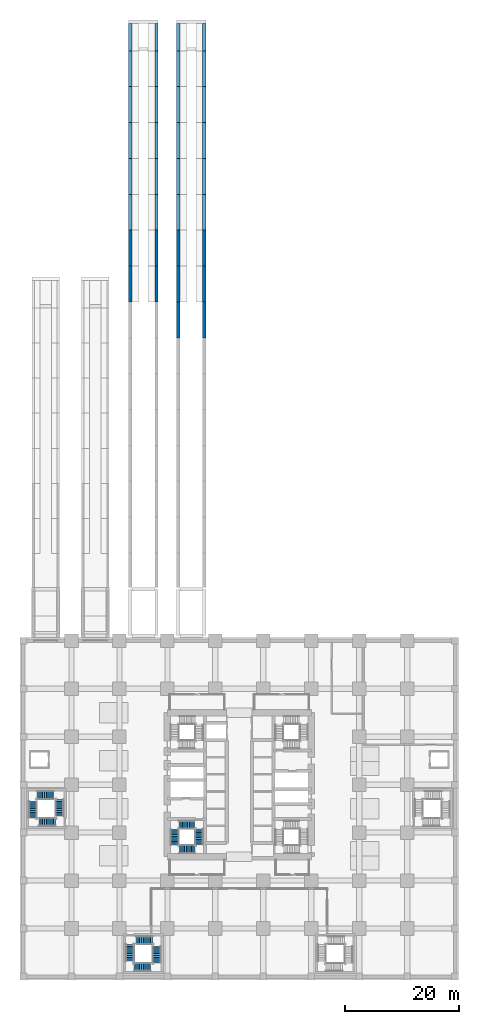
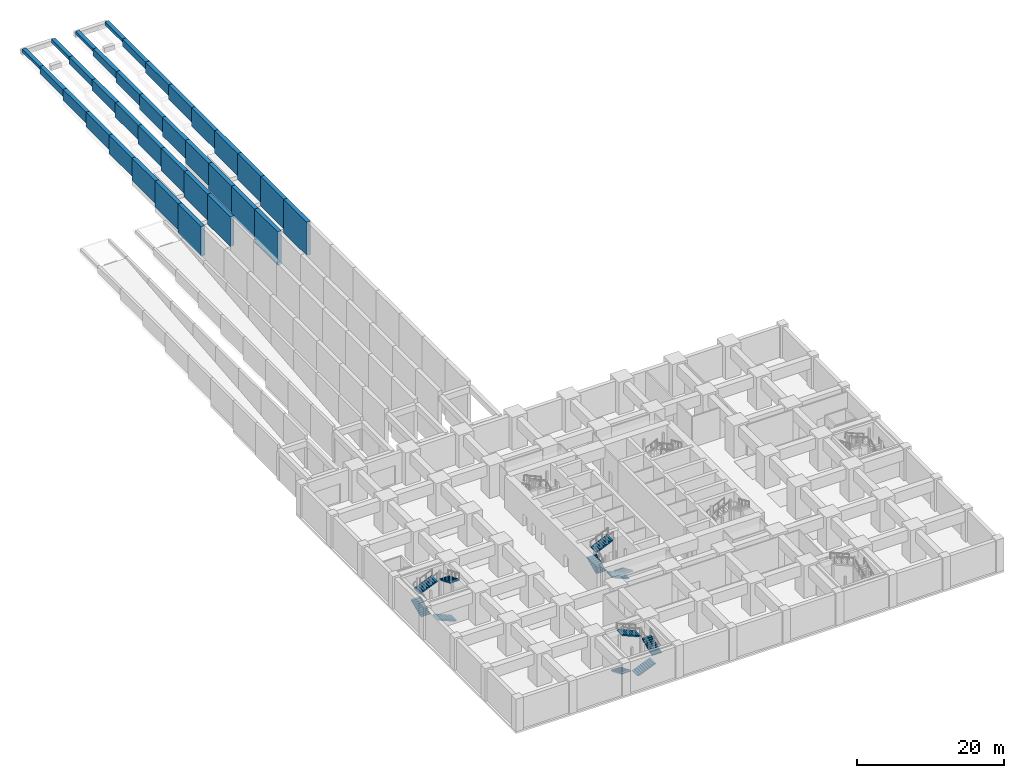
# One storey, part 11 of 20: 34 walls, 12 stair flights, 3 elements without a shape of their own.
"""IFC4 building model written with IfcOpenShell, lengths in metres."""

from ifc_helpers import new_model, si_unit, direction, frame, frame_2d, origin, place, context, subcontext, project, spatial, polyline, rectangle, outline, extrude, material, layer, layer_set, type_object, element, aggregate, save


model = new_model("IFC4")

# Units and contexts
model_context = context("Model", 3, precision=1e-05, world=origin(), true_north=direction((0.0, 1.0)))
body_context = subcontext(model_context, "Body", "Model", "MODEL_VIEW")
ifc_project = project(units=[si_unit("LENGTHUNIT", "METRE"), si_unit("AREAUNIT", "SQUARE_METRE"), si_unit("VOLUMEUNIT", "CUBIC_METRE"), si_unit("PLANEANGLEUNIT", "RADIAN"), si_unit("MASSUNIT", "GRAM", prefix="KILO")], contexts=[model_context])

# Site, building, storey
site_placement = place(None, origin())
site = spatial("IfcSite", under=ifc_project, at=site_placement, CompositionType="ELEMENT")
building_placement = place(site_placement, origin())
building = spatial("IfcBuilding", under=site, at=building_placement, Name="Rekha Terrace Tower", CompositionType="ELEMENT")
storey_placement = place(building_placement, frame((0.0, 0.0, -5.39990234375)))
storey = spatial("IfcBuildingStorey", under=building, at=storey_placement, Name="B-01", CompositionType="ELEMENT", Elevation=-5.39990234375)

# Walls
ifc_material = material(Name="Concrete M40", Category="concrete")
ifc_layer = layer(ifc_material, 0.60009765625)
ifc_layer_set = layer_set([ifc_layer], Name="Concrete M40")
wall_type = type_object("IfcWallType", Name="RW4 600 ramp retaining wall", PredefinedType="SOLIDWALL", material=ifc_layer_set)
wall_1_placement = place(storey_placement, frame((18.699951171875, 118.139892578125, 0.4638671875), z_axis=(0.0, 0.0, 1.0), x_axis=(0.0, 1.0, 0.0)))
element("IfcWall", 1, at=wall_1_placement, inside=storey, type_object=wall_type, Name="Ramp 3 kerb wall RW4 W11", PredefinedType="SOLIDWALL", context=body_context, shape_type="SweptSolid", body=[
    extrude(rectangle(XDim=6.280029296875, YDim=0.60009765625, at=frame_2d((3.14013671875, 0.0))), origin(), (0.0, 0.0, 1.0), 4.93603515625),
])
wall_2_placement = place(storey_placement, frame((18.699951171875, 124.419921875, 1.091796875), z_axis=(0.0, 0.0, 1.0), x_axis=(0.0, 1.0, 0.0)))
element("IfcWall", 2, at=wall_2_placement, inside=storey, type_object=wall_type, Name="Ramp 3 kerb wall RW4 W12", PredefinedType="SOLIDWALL", context=body_context, shape_type="SweptSolid", body=[
    extrude(rectangle(XDim=6.280029296875, YDim=0.60009765625, at=frame_2d((3.14013671875, 0.0))), origin(), (0.0, 0.0, 1.0), 4.30810546875),
])
wall_3_placement = place(storey_placement, frame((18.699951171875, 130.699951171875, 1.719970703125), z_axis=(0.0, 0.0, 1.0), x_axis=(0.0, 1.0, 0.0)))
element("IfcWall", 3, at=wall_3_placement, inside=storey, type_object=wall_type, Name="Ramp 3 kerb wall RW4 W13", PredefinedType="SOLIDWALL", context=body_context, shape_type="SweptSolid", body=[
    extrude(rectangle(XDim=6.280029296875, YDim=0.60009765625, at=frame_2d((3.14013671875, 0.0))), origin(), (0.0, 0.0, 1.0), 3.679931640625),
])
wall_4_placement = place(storey_placement, frame((18.699951171875, 136.97998046875, 2.347900390625), z_axis=(0.0, 0.0, 1.0), x_axis=(0.0, 1.0, 0.0)))
element("IfcWall", 4, at=wall_4_placement, inside=storey, type_object=wall_type, Name="Ramp 3 kerb wall RW4 W14", PredefinedType="SOLIDWALL", context=body_context, shape_type="SweptSolid", body=[
    extrude(rectangle(XDim=6.280029296875, YDim=0.60009765625, at=frame_2d((3.14013671875, 0.0))), origin(), (0.0, 0.0, 1.0), 3.052001953125),
])
wall_5_placement = place(storey_placement, frame((18.699951171875, 143.260009765625, 2.975830078125), z_axis=(0.0, 0.0, 1.0), x_axis=(0.0, 1.0, 0.0)))
element("IfcWall", 5, at=wall_5_placement, inside=storey, type_object=wall_type, Name="Ramp 3 kerb wall RW4 W15", PredefinedType="SOLIDWALL", context=body_context, shape_type="SweptSolid", body=[
    extrude(rectangle(XDim=6.280029296875, YDim=0.60009765625, at=frame_2d((3.14013671875, 0.0))), origin(), (0.0, 0.0, 1.0), 2.424072265625),
])
wall_6_placement = place(storey_placement, frame((18.699951171875, 149.5400390625, 3.60400390625), z_axis=(0.0, 0.0, 1.0), x_axis=(0.0, 1.0, 0.0)))
element("IfcWall", 6, at=wall_6_placement, inside=storey, type_object=wall_type, Name="Ramp 3 kerb wall RW4 W16", PredefinedType="SOLIDWALL", context=body_context, shape_type="SweptSolid", body=[
    extrude(rectangle(XDim=6.280029296875, YDim=0.60009765625, at=frame_2d((3.14013671875, 0.0))), origin(), (0.0, 0.0, 1.0), 1.7958984375),
])
wall_7_placement = place(storey_placement, frame((18.699951171875, 155.820068359375, 4.23193359375), z_axis=(0.0, 0.0, 1.0), x_axis=(0.0, 1.0, 0.0)))
element("IfcWall", 7, at=wall_7_placement, inside=storey, type_object=wall_type, Name="Ramp 3 kerb wall RW4 W17", PredefinedType="SOLIDWALL", context=body_context, shape_type="SweptSolid", body=[
    extrude(rectangle(XDim=6.280029296875, YDim=0.60009765625, at=frame_2d((3.14013671875, 0.0))), origin(), (0.0, 0.0, 1.0), 1.16796875),
])
wall_8_placement = place(storey_placement, frame((18.699951171875, 162.10009765625, 4.85986328125), z_axis=(0.0, 0.0, 1.0), x_axis=(0.0, 1.0, 0.0)))
element("IfcWall", 8, at=wall_8_placement, inside=storey, type_object=wall_type, Name="Ramp 3 kerb wall RW4 W18", PredefinedType="SOLIDWALL", context=body_context, shape_type="SweptSolid", body=[
    extrude(rectangle(XDim=4.7998046875, YDim=0.60009765625, at=frame_2d((2.39990234375, 0.0))), origin(), (0.0, 0.0, 1.0), 0.5400390625),
])
wall_9_placement = place(storey_placement, frame((23.300048828125, 118.139892578125, 0.4638671875), z_axis=(0.0, 0.0, 1.0), x_axis=(0.0, 1.0, 0.0)))
element("IfcWall", 9, at=wall_9_placement, inside=storey, type_object=wall_type, Name="Ramp 3 kerb wall RW4 E11", PredefinedType="SOLIDWALL", context=body_context, shape_type="SweptSolid", body=[
    extrude(rectangle(XDim=6.280029296875, YDim=0.60009765625, at=frame_2d((3.14013671875, 0.0))), origin(), (0.0, 0.0, 1.0), 4.93603515625),
])
wall_10_placement = place(storey_placement, frame((23.300048828125, 124.419921875, 1.091796875), z_axis=(0.0, 0.0, 1.0), x_axis=(0.0, 1.0, 0.0)))
element("IfcWall", 10, at=wall_10_placement, inside=storey, type_object=wall_type, Name="Ramp 3 kerb wall RW4 E12", PredefinedType="SOLIDWALL", context=body_context, shape_type="SweptSolid", body=[
    extrude(rectangle(XDim=6.280029296875, YDim=0.60009765625, at=frame_2d((3.14013671875, 0.0))), origin(), (0.0, 0.0, 1.0), 4.30810546875),
])
wall_11_placement = place(storey_placement, frame((23.300048828125, 130.699951171875, 1.719970703125), z_axis=(0.0, 0.0, 1.0), x_axis=(0.0, 1.0, 0.0)))
element("IfcWall", 11, at=wall_11_placement, inside=storey, type_object=wall_type, Name="Ramp 3 kerb wall RW4 E13", PredefinedType="SOLIDWALL", context=body_context, shape_type="SweptSolid", body=[
    extrude(rectangle(XDim=6.280029296875, YDim=0.60009765625, at=frame_2d((3.14013671875, 0.0))), origin(), (0.0, 0.0, 1.0), 3.679931640625),
])
wall_12_placement = place(storey_placement, frame((23.300048828125, 136.97998046875, 2.347900390625), z_axis=(0.0, 0.0, 1.0), x_axis=(0.0, 1.0, 0.0)))
element("IfcWall", 12, at=wall_12_placement, inside=storey, type_object=wall_type, Name="Ramp 3 kerb wall RW4 E14", PredefinedType="SOLIDWALL", context=body_context, shape_type="SweptSolid", body=[
    extrude(rectangle(XDim=6.280029296875, YDim=0.60009765625, at=frame_2d((3.14013671875, 0.0))), origin(), (0.0, 0.0, 1.0), 3.052001953125),
])
wall_13_placement = place(storey_placement, frame((23.300048828125, 143.260009765625, 2.975830078125), z_axis=(0.0, 0.0, 1.0), x_axis=(0.0, 1.0, 0.0)))
element("IfcWall", 13, at=wall_13_placement, inside=storey, type_object=wall_type, Name="Ramp 3 kerb wall RW4 E15", PredefinedType="SOLIDWALL", context=body_context, shape_type="SweptSolid", body=[
    extrude(rectangle(XDim=6.280029296875, YDim=0.60009765625, at=frame_2d((3.14013671875, 0.0))), origin(), (0.0, 0.0, 1.0), 2.424072265625),
])
wall_14_placement = place(storey_placement, frame((23.300048828125, 149.5400390625, 3.60400390625), z_axis=(0.0, 0.0, 1.0), x_axis=(0.0, 1.0, 0.0)))
element("IfcWall", 14, at=wall_14_placement, inside=storey, type_object=wall_type, Name="Ramp 3 kerb wall RW4 E16", PredefinedType="SOLIDWALL", context=body_context, shape_type="SweptSolid", body=[
    extrude(rectangle(XDim=6.280029296875, YDim=0.60009765625, at=frame_2d((3.14013671875, 0.0))), origin(), (0.0, 0.0, 1.0), 1.7958984375),
])
wall_15_placement = place(storey_placement, frame((23.300048828125, 155.820068359375, 4.23193359375), z_axis=(0.0, 0.0, 1.0), x_axis=(0.0, 1.0, 0.0)))
element("IfcWall", 15, at=wall_15_placement, inside=storey, type_object=wall_type, Name="Ramp 3 kerb wall RW4 E17", PredefinedType="SOLIDWALL", context=body_context, shape_type="SweptSolid", body=[
    extrude(rectangle(XDim=6.280029296875, YDim=0.60009765625, at=frame_2d((3.14013671875, 0.0))), origin(), (0.0, 0.0, 1.0), 1.16796875),
])
wall_16_placement = place(storey_placement, frame((23.300048828125, 162.10009765625, 4.85986328125), z_axis=(0.0, 0.0, 1.0), x_axis=(0.0, 1.0, 0.0)))
element("IfcWall", 16, at=wall_16_placement, inside=storey, type_object=wall_type, Name="Ramp 3 kerb wall RW4 E18", PredefinedType="SOLIDWALL", context=body_context, shape_type="SweptSolid", body=[
    extrude(rectangle(XDim=4.7998046875, YDim=0.60009765625, at=frame_2d((2.39990234375, 0.0))), origin(), (0.0, 0.0, 1.0), 0.5400390625),
])
wall_17_placement = place(storey_placement, frame((27.10009765625, 111.860107421875, -0.1640625), z_axis=(0.0, 0.0, 1.0), x_axis=(0.0, 1.0, 0.0)))
element("IfcWall", 17, at=wall_17_placement, inside=storey, type_object=wall_type, Name="Ramp 4 kerb wall RW4 W10", PredefinedType="SOLIDWALL", context=body_context, shape_type="SweptSolid", body=[
    extrude(rectangle(XDim=6.27978515625, YDim=0.60009765625, at=frame_2d((3.139892578125, 0.0))), origin(), (0.0, 0.0, 1.0), 5.56396484375),
])
wall_18_placement = place(storey_placement, frame((27.10009765625, 118.139892578125, 0.4638671875), z_axis=(0.0, 0.0, 1.0), x_axis=(0.0, 1.0, 0.0)))
element("IfcWall", 18, at=wall_18_placement, inside=storey, type_object=wall_type, Name="Ramp 4 kerb wall RW4 W11", PredefinedType="SOLIDWALL", context=body_context, shape_type="SweptSolid", body=[
    extrude(rectangle(XDim=6.280029296875, YDim=0.60009765625, at=frame_2d((3.14013671875, 0.0))), origin(), (0.0, 0.0, 1.0), 4.93603515625),
])
wall_19_placement = place(storey_placement, frame((27.10009765625, 124.419921875, 1.091796875), z_axis=(0.0, 0.0, 1.0), x_axis=(0.0, 1.0, 0.0)))
element("IfcWall", 19, at=wall_19_placement, inside=storey, type_object=wall_type, Name="Ramp 4 kerb wall RW4 W12", PredefinedType="SOLIDWALL", context=body_context, shape_type="SweptSolid", body=[
    extrude(rectangle(XDim=6.280029296875, YDim=0.60009765625, at=frame_2d((3.14013671875, 0.0))), origin(), (0.0, 0.0, 1.0), 4.30810546875),
])
wall_20_placement = place(storey_placement, frame((27.10009765625, 130.699951171875, 1.719970703125), z_axis=(0.0, 0.0, 1.0), x_axis=(0.0, 1.0, 0.0)))
element("IfcWall", 20, at=wall_20_placement, inside=storey, type_object=wall_type, Name="Ramp 4 kerb wall RW4 W13", PredefinedType="SOLIDWALL", context=body_context, shape_type="SweptSolid", body=[
    extrude(rectangle(XDim=6.280029296875, YDim=0.60009765625, at=frame_2d((3.14013671875, 0.0))), origin(), (0.0, 0.0, 1.0), 3.679931640625),
])
wall_21_placement = place(storey_placement, frame((27.10009765625, 136.97998046875, 2.347900390625), z_axis=(0.0, 0.0, 1.0), x_axis=(0.0, 1.0, 0.0)))
element("IfcWall", 21, at=wall_21_placement, inside=storey, type_object=wall_type, Name="Ramp 4 kerb wall RW4 W14", PredefinedType="SOLIDWALL", context=body_context, shape_type="SweptSolid", body=[
    extrude(rectangle(XDim=6.280029296875, YDim=0.60009765625, at=frame_2d((3.14013671875, 0.0))), origin(), (0.0, 0.0, 1.0), 3.052001953125),
])
wall_22_placement = place(storey_placement, frame((27.10009765625, 143.260009765625, 2.975830078125), z_axis=(0.0, 0.0, 1.0), x_axis=(0.0, 1.0, 0.0)))
element("IfcWall", 22, at=wall_22_placement, inside=storey, type_object=wall_type, Name="Ramp 4 kerb wall RW4 W15", PredefinedType="SOLIDWALL", context=body_context, shape_type="SweptSolid", body=[
    extrude(rectangle(XDim=6.280029296875, YDim=0.60009765625, at=frame_2d((3.14013671875, 0.0))), origin(), (0.0, 0.0, 1.0), 2.424072265625),
])
wall_23_placement = place(storey_placement, frame((27.10009765625, 149.5400390625, 3.60400390625), z_axis=(0.0, 0.0, 1.0), x_axis=(0.0, 1.0, 0.0)))
element("IfcWall", 23, at=wall_23_placement, inside=storey, type_object=wall_type, Name="Ramp 4 kerb wall RW4 W16", PredefinedType="SOLIDWALL", context=body_context, shape_type="SweptSolid", body=[
    extrude(rectangle(XDim=6.280029296875, YDim=0.60009765625, at=frame_2d((3.14013671875, 0.0))), origin(), (0.0, 0.0, 1.0), 1.7958984375),
])
wall_24_placement = place(storey_placement, frame((27.10009765625, 155.820068359375, 4.23193359375), z_axis=(0.0, 0.0, 1.0), x_axis=(0.0, 1.0, 0.0)))
element("IfcWall", 24, at=wall_24_placement, inside=storey, type_object=wall_type, Name="Ramp 4 kerb wall RW4 W17", PredefinedType="SOLIDWALL", context=body_context, shape_type="SweptSolid", body=[
    extrude(rectangle(XDim=6.280029296875, YDim=0.60009765625, at=frame_2d((3.14013671875, 0.0))), origin(), (0.0, 0.0, 1.0), 1.16796875),
])
wall_25_placement = place(storey_placement, frame((27.10009765625, 162.10009765625, 4.85986328125), z_axis=(0.0, 0.0, 1.0), x_axis=(0.0, 1.0, 0.0)))
element("IfcWall", 25, at=wall_25_placement, inside=storey, type_object=wall_type, Name="Ramp 4 kerb wall RW4 W18", PredefinedType="SOLIDWALL", context=body_context, shape_type="SweptSolid", body=[
    extrude(rectangle(XDim=4.7998046875, YDim=0.60009765625, at=frame_2d((2.39990234375, 0.0))), origin(), (0.0, 0.0, 1.0), 0.5400390625),
])
wall_26_placement = place(storey_placement, frame((31.699951171875, 111.860107421875, -0.1640625), z_axis=(0.0, 0.0, 1.0), x_axis=(0.0, 1.0, 0.0)))
element("IfcWall", 26, at=wall_26_placement, inside=storey, type_object=wall_type, Name="Ramp 4 kerb wall RW4 E10", PredefinedType="SOLIDWALL", context=body_context, shape_type="SweptSolid", body=[
    extrude(rectangle(XDim=6.27978515625, YDim=0.60009765625, at=frame_2d((3.139892578125, 0.0))), origin(), (0.0, 0.0, 1.0), 5.56396484375),
])
wall_27_placement = place(storey_placement, frame((31.699951171875, 118.139892578125, 0.4638671875), z_axis=(0.0, 0.0, 1.0), x_axis=(0.0, 1.0, 0.0)))
element("IfcWall", 27, at=wall_27_placement, inside=storey, type_object=wall_type, Name="Ramp 4 kerb wall RW4 E11", PredefinedType="SOLIDWALL", context=body_context, shape_type="SweptSolid", body=[
    extrude(rectangle(XDim=6.280029296875, YDim=0.60009765625, at=frame_2d((3.14013671875, 0.0))), origin(), (0.0, 0.0, 1.0), 4.93603515625),
])
wall_28_placement = place(storey_placement, frame((31.699951171875, 124.419921875, 1.091796875), z_axis=(0.0, 0.0, 1.0), x_axis=(0.0, 1.0, 0.0)))
element("IfcWall", 28, at=wall_28_placement, inside=storey, type_object=wall_type, Name="Ramp 4 kerb wall RW4 E12", PredefinedType="SOLIDWALL", context=body_context, shape_type="SweptSolid", body=[
    extrude(rectangle(XDim=6.280029296875, YDim=0.60009765625, at=frame_2d((3.14013671875, 0.0))), origin(), (0.0, 0.0, 1.0), 4.30810546875),
])
wall_29_placement = place(storey_placement, frame((31.699951171875, 130.699951171875, 1.719970703125), z_axis=(0.0, 0.0, 1.0), x_axis=(0.0, 1.0, 0.0)))
element("IfcWall", 29, at=wall_29_placement, inside=storey, type_object=wall_type, Name="Ramp 4 kerb wall RW4 E13", PredefinedType="SOLIDWALL", context=body_context, shape_type="SweptSolid", body=[
    extrude(rectangle(XDim=6.280029296875, YDim=0.60009765625, at=frame_2d((3.14013671875, 0.0))), origin(), (0.0, 0.0, 1.0), 3.679931640625),
])
wall_30_placement = place(storey_placement, frame((31.699951171875, 136.97998046875, 2.347900390625), z_axis=(0.0, 0.0, 1.0), x_axis=(0.0, 1.0, 0.0)))
element("IfcWall", 30, at=wall_30_placement, inside=storey, type_object=wall_type, Name="Ramp 4 kerb wall RW4 E14", PredefinedType="SOLIDWALL", context=body_context, shape_type="SweptSolid", body=[
    extrude(rectangle(XDim=6.280029296875, YDim=0.60009765625, at=frame_2d((3.14013671875, 0.0))), origin(), (0.0, 0.0, 1.0), 3.052001953125),
])
wall_31_placement = place(storey_placement, frame((31.699951171875, 143.260009765625, 2.975830078125), z_axis=(0.0, 0.0, 1.0), x_axis=(0.0, 1.0, 0.0)))
element("IfcWall", 31, at=wall_31_placement, inside=storey, type_object=wall_type, Name="Ramp 4 kerb wall RW4 E15", PredefinedType="SOLIDWALL", context=body_context, shape_type="SweptSolid", body=[
    extrude(rectangle(XDim=6.280029296875, YDim=0.60009765625, at=frame_2d((3.14013671875, 0.0))), origin(), (0.0, 0.0, 1.0), 2.424072265625),
])
wall_32_placement = place(storey_placement, frame((31.699951171875, 149.5400390625, 3.60400390625), z_axis=(0.0, 0.0, 1.0), x_axis=(0.0, 1.0, 0.0)))
element("IfcWall", 32, at=wall_32_placement, inside=storey, type_object=wall_type, Name="Ramp 4 kerb wall RW4 E16", PredefinedType="SOLIDWALL", context=body_context, shape_type="SweptSolid", body=[
    extrude(rectangle(XDim=6.280029296875, YDim=0.60009765625, at=frame_2d((3.14013671875, 0.0))), origin(), (0.0, 0.0, 1.0), 1.7958984375),
])
wall_33_placement = place(storey_placement, frame((31.699951171875, 155.820068359375, 4.23193359375), z_axis=(0.0, 0.0, 1.0), x_axis=(0.0, 1.0, 0.0)))
element("IfcWall", 33, at=wall_33_placement, inside=storey, type_object=wall_type, Name="Ramp 4 kerb wall RW4 E17", PredefinedType="SOLIDWALL", context=body_context, shape_type="SweptSolid", body=[
    extrude(rectangle(XDim=6.280029296875, YDim=0.60009765625, at=frame_2d((3.14013671875, 0.0))), origin(), (0.0, 0.0, 1.0), 1.16796875),
])
wall_34_placement = place(storey_placement, frame((31.699951171875, 162.10009765625, 4.85986328125), z_axis=(0.0, 0.0, 1.0), x_axis=(0.0, 1.0, 0.0)))
element("IfcWall", 34, at=wall_34_placement, inside=storey, type_object=wall_type, Name="Ramp 4 kerb wall RW4 E18", PredefinedType="SOLIDWALL", context=body_context, shape_type="SweptSolid", body=[
    extrude(rectangle(XDim=4.7998046875, YDim=0.60009765625, at=frame_2d((2.39990234375, 0.0))), origin(), (0.0, 0.0, 1.0), 0.5400390625),
])

# Stair, stair flights
stair_type_1 = type_object("IfcStairType", Name="ST40 stair, 40 risers of 135, going 300, 1500 wide flights, 4 flights", PredefinedType="QUARTER_TURN_STAIR", material=ifc_material)
stair_1_placement = place(storey_placement, origin())
stair_1 = element("IfcStair", 35, at=stair_1_placement, inside=storey, type_object=stair_type_1, Name="Stair ST1 B-01 to L00", PredefinedType="QUARTER_TURN_STAIR")
stair_flight_type_1 = type_object("IfcStairFlightType", Name="SF10 stair flight, 10 risers of 135, going 300, 1500 wide", PredefinedType="STRAIGHT", material=ifc_material)
stair_flight_1_placement = place(storey_placement, frame((30.77490234375, 25.824951171875, 0.0), z_axis=(0.0, 0.0, 1.0), x_axis=(0.0, -1.0, 0.0)))
stair_flight_1 = element("IfcStairFlight", 36, at=stair_flight_1_placement, type_object=stair_flight_type_1, Name="ST1 flight 1", NumberOfRisers=10, NumberOfTreads=9, PredefinedType="STRAIGHT", RiserHeight=0.135, TreadLength=0.3, context=body_context, shape_type="SweptSolid", body=[
    extrude(outline(polyline([(0.0, 0.0), (0.0, 0.135009765625), (0.300048828125, 0.135009765625), (0.300048828125, 0.27001953125), (0.60009765625, 0.27001953125), (0.60009765625, 0.405029296875), (0.89990234375, 0.405029296875), (0.89990234375, 0.5400390625), (1.199951171875, 0.5400390625), (1.199951171875, 0.675048828125), (1.5, 0.675048828125), (1.5, 0.81005859375), (1.800048828125, 0.81005859375), (1.800048828125, 0.945068359375), (2.10009765625, 0.945068359375), (2.10009765625, 1.080078125), (2.39990234375, 1.080078125), (2.39990234375, 1.215087890625), (2.699951171875, 1.215087890625), (2.699951171875, 1.35009765625), (2.699951171875, 1.050537109375), (0.365234375, 0.0), (0.0, 0.0)])), frame((0.0, 0.75, 0.0), z_axis=(0.0, -1.0, 0.0), x_axis=(1.0, 0.0, 0.0)), (0.0, 0.0, 1.0), 1.5),
])
stair_flight_2_placement = place(storey_placement, frame((30.02490234375, 22.300048828125, 1.349853515625), z_axis=(0.0, 0.0, 1.0), x_axis=(-1.0, 0.0, 0.0)))
stair_flight_2 = element("IfcStairFlight", 37, at=stair_flight_2_placement, type_object=stair_flight_type_1, Name="ST1 flight 2", NumberOfRisers=10, NumberOfTreads=9, PredefinedType="STRAIGHT", RiserHeight=0.135, TreadLength=0.3, context=body_context, shape_type="SweptSolid", body=[
    extrude(outline(polyline([(0.0, 0.0), (0.0, 0.135009765625), (0.300048828125, 0.135009765625), (0.300048828125, 0.27001953125), (0.60009765625, 0.27001953125), (0.60009765625, 0.405029296875), (0.89990234375, 0.405029296875), (0.89990234375, 0.5400390625), (1.199951171875, 0.5400390625), (1.199951171875, 0.675048828125), (1.5, 0.675048828125), (1.5, 0.81005859375), (1.800048828125, 0.81005859375), (1.800048828125, 0.945068359375), (2.10009765625, 0.945068359375), (2.10009765625, 1.080078125), (2.39990234375, 1.080078125), (2.39990234375, 1.215087890625), (2.699951171875, 1.215087890625), (2.699951171875, 1.35009765625), (2.699951171875, 1.050537109375), (0.365234375, 0.0), (0.0, 0.0)])), frame((0.0, 0.75, 0.0), z_axis=(0.0, -1.0, 0.0), x_axis=(1.0, 0.0, 0.0)), (0.0, 0.0, 1.0), 1.5),
])
stair_flight_3_placement = place(storey_placement, frame((26.5, 23.050048828125, 2.699951171875), z_axis=(0.0, 0.0, 1.0), x_axis=(0.0, 1.0, 0.0)))
stair_flight_3 = element("IfcStairFlight", 38, at=stair_flight_3_placement, type_object=stair_flight_type_1, Name="ST1 flight 3", NumberOfRisers=10, NumberOfTreads=9, PredefinedType="STRAIGHT", RiserHeight=0.135, TreadLength=0.3, context=body_context, shape_type="SweptSolid", body=[
    extrude(outline(polyline([(0.0, 0.0), (0.0, 0.135009765625), (0.300048828125, 0.135009765625), (0.300048828125, 0.27001953125), (0.60009765625, 0.27001953125), (0.60009765625, 0.405029296875), (0.89990234375, 0.405029296875), (0.89990234375, 0.5400390625), (1.199951171875, 0.5400390625), (1.199951171875, 0.675048828125), (1.5, 0.675048828125), (1.5, 0.81005859375), (1.800048828125, 0.81005859375), (1.800048828125, 0.945068359375), (2.10009765625, 0.945068359375), (2.10009765625, 1.080078125), (2.39990234375, 1.080078125), (2.39990234375, 1.215087890625), (2.699951171875, 1.215087890625), (2.699951171875, 1.35009765625), (2.699951171875, 1.050537109375), (0.365234375, 0.0), (0.0, 0.0)])), frame((0.0, 0.75, 0.0), z_axis=(0.0, -1.0, 0.0), x_axis=(1.0, 0.0, 0.0)), (0.0, 0.0, 1.0), 1.5),
])
stair_flight_4_placement = place(storey_placement, frame((27.25, 26.574951171875, 4.0498046875), z_axis=(0.0, 0.0, 1.0), x_axis=(1.0, 0.0, 0.0)))
stair_flight_4 = element("IfcStairFlight", 39, at=stair_flight_4_placement, type_object=stair_flight_type_1, Name="ST1 flight 4", NumberOfRisers=10, NumberOfTreads=9, PredefinedType="STRAIGHT", RiserHeight=0.135, TreadLength=0.3, context=body_context, shape_type="SweptSolid", body=[
    extrude(outline(polyline([(0.0, 0.0), (0.0, 0.135009765625), (0.300048828125, 0.135009765625), (0.300048828125, 0.27001953125), (0.60009765625, 0.27001953125), (0.60009765625, 0.405029296875), (0.89990234375, 0.405029296875), (0.89990234375, 0.5400390625), (1.199951171875, 0.5400390625), (1.199951171875, 0.675048828125), (1.5, 0.675048828125), (1.5, 0.81005859375), (1.800048828125, 0.81005859375), (1.800048828125, 0.945068359375), (2.10009765625, 0.945068359375), (2.10009765625, 1.080078125), (2.39990234375, 1.080078125), (2.39990234375, 1.215087890625), (2.699951171875, 1.215087890625), (2.699951171875, 1.35009765625), (2.699951171875, 1.050537109375), (0.365234375, 0.0), (0.0, 0.0)])), frame((0.0, 0.75, 0.0), z_axis=(0.0, -1.0, 0.0), x_axis=(1.0, 0.0, 0.0)), (0.0, 0.0, 1.0), 1.5),
])
aggregate(stair_1, [stair_flight_1, stair_flight_2, stair_flight_3, stair_flight_4])

stair_type_2 = type_object("IfcStairType", Name="ST40 stair, 40 risers of 135, going 320, 1500 wide flights, 4 flights", PredefinedType="QUARTER_TURN_STAIR", material=ifc_material)
stair_2_placement = place(storey_placement, origin())
stair_2 = element("IfcStair", 40, at=stair_2_placement, inside=storey, type_object=stair_type_2, Name="Stair SP1 B-01 to L00", PredefinedType="QUARTER_TURN_STAIR")
stair_flight_type_2 = type_object("IfcStairFlightType", Name="SF10 stair flight, 10 risers of 135, going 320, 1500 wide", PredefinedType="STRAIGHT", material=ifc_material)
stair_flight_5_placement = place(storey_placement, frame((5.60009765625, 27.050048828125, 0.0), z_axis=(0.0, 0.0, 1.0), x_axis=(-1.0, 0.0, 0.0)))
stair_flight_5 = element("IfcStairFlight", 41, at=stair_flight_5_placement, type_object=stair_flight_type_2, Name="SP1 flight 1", NumberOfRisers=10, NumberOfTreads=9, PredefinedType="STRAIGHT", RiserHeight=0.135, TreadLength=0.32, context=body_context, shape_type="SweptSolid", body=[
    extrude(outline(polyline([(0.0, 0.0), (0.0, 0.135009765625), (0.320068359375, 0.135009765625), (0.320068359375, 0.27001953125), (0.639892578125, 0.27001953125), (0.639892578125, 0.405029296875), (0.9599609375, 0.405029296875), (0.9599609375, 0.5400390625), (1.280029296875, 0.5400390625), (1.280029296875, 0.675048828125), (1.60009765625, 0.675048828125), (1.60009765625, 0.81005859375), (1.919921875, 0.81005859375), (1.919921875, 0.945068359375), (2.239990234375, 0.945068359375), (2.239990234375, 1.080078125), (2.56005859375, 1.080078125), (2.56005859375, 1.215087890625), (2.8798828125, 1.215087890625), (2.8798828125, 1.35009765625), (2.8798828125, 1.05224609375), (0.3857421875, 0.0), (0.0, 0.0)])), frame((0.0, 0.75, 0.0), z_axis=(0.0, -1.0, 0.0), x_axis=(1.0, 0.0, 0.0)), (0.0, 0.0, 1.0), 1.5),
])
stair_flight_6_placement = place(storey_placement, frame((1.64990234375, 27.800048828125, 1.349853515625), z_axis=(0.0, 0.0, 1.0), x_axis=(0.0, 1.0, 0.0)))
stair_flight_6 = element("IfcStairFlight", 42, at=stair_flight_6_placement, type_object=stair_flight_type_2, Name="SP1 flight 2", NumberOfRisers=10, NumberOfTreads=9, PredefinedType="STRAIGHT", RiserHeight=0.135, TreadLength=0.32, context=body_context, shape_type="SweptSolid", body=[
    extrude(outline(polyline([(0.0, 0.0), (0.0, 0.135009765625), (0.320068359375, 0.135009765625), (0.320068359375, 0.27001953125), (0.639892578125, 0.27001953125), (0.639892578125, 0.405029296875), (0.9599609375, 0.405029296875), (0.9599609375, 0.5400390625), (1.280029296875, 0.5400390625), (1.280029296875, 0.675048828125), (1.60009765625, 0.675048828125), (1.60009765625, 0.81005859375), (1.919921875, 0.81005859375), (1.919921875, 0.945068359375), (2.239990234375, 0.945068359375), (2.239990234375, 1.080078125), (2.56005859375, 1.080078125), (2.56005859375, 1.215087890625), (2.8798828125, 1.215087890625), (2.8798828125, 1.35009765625), (2.8798828125, 1.05224609375), (0.3857421875, 0.0), (0.0, 0.0)])), frame((0.0, 0.75, 0.0), z_axis=(0.0, -1.0, 0.0), x_axis=(1.0, 0.0, 0.0)), (0.0, 0.0, 1.0), 1.5),
])
stair_flight_7_placement = place(storey_placement, frame((2.39990234375, 31.75, 2.699951171875), z_axis=(0.0, 0.0, 1.0), x_axis=(1.0, 0.0, 0.0)))
stair_flight_7 = element("IfcStairFlight", 43, at=stair_flight_7_placement, type_object=stair_flight_type_2, Name="SP1 flight 3", NumberOfRisers=10, NumberOfTreads=9, PredefinedType="STRAIGHT", RiserHeight=0.135, TreadLength=0.32, context=body_context, shape_type="SweptSolid", body=[
    extrude(outline(polyline([(0.0, 0.0), (0.0, 0.135009765625), (0.320068359375, 0.135009765625), (0.320068359375, 0.27001953125), (0.639892578125, 0.27001953125), (0.639892578125, 0.405029296875), (0.9599609375, 0.405029296875), (0.9599609375, 0.5400390625), (1.280029296875, 0.5400390625), (1.280029296875, 0.675048828125), (1.60009765625, 0.675048828125), (1.60009765625, 0.81005859375), (1.919921875, 0.81005859375), (1.919921875, 0.945068359375), (2.239990234375, 0.945068359375), (2.239990234375, 1.080078125), (2.56005859375, 1.080078125), (2.56005859375, 1.215087890625), (2.8798828125, 1.215087890625), (2.8798828125, 1.35009765625), (2.8798828125, 1.05224609375), (0.3857421875, 0.0), (0.0, 0.0)])), frame((0.0, 0.75, 0.0), z_axis=(0.0, -1.0, 0.0), x_axis=(1.0, 0.0, 0.0)), (0.0, 0.0, 1.0), 1.5),
])
stair_flight_8_placement = place(storey_placement, frame((6.35009765625, 31.0, 4.0498046875), z_axis=(0.0, 0.0, 1.0), x_axis=(0.0, -1.0, 0.0)))
stair_flight_8 = element("IfcStairFlight", 44, at=stair_flight_8_placement, type_object=stair_flight_type_2, Name="SP1 flight 4", NumberOfRisers=10, NumberOfTreads=9, PredefinedType="STRAIGHT", RiserHeight=0.135, TreadLength=0.32, context=body_context, shape_type="SweptSolid", body=[
    extrude(outline(polyline([(0.0, 0.0), (0.0, 0.135009765625), (0.320068359375, 0.135009765625), (0.320068359375, 0.27001953125), (0.639892578125, 0.27001953125), (0.639892578125, 0.405029296875), (0.9599609375, 0.405029296875), (0.9599609375, 0.5400390625), (1.280029296875, 0.5400390625), (1.280029296875, 0.675048828125), (1.60009765625, 0.675048828125), (1.60009765625, 0.81005859375), (1.919921875, 0.81005859375), (1.919921875, 0.945068359375), (2.239990234375, 0.945068359375), (2.239990234375, 1.080078125), (2.56005859375, 1.080078125), (2.56005859375, 1.215087890625), (2.8798828125, 1.215087890625), (2.8798828125, 1.35009765625), (2.8798828125, 1.05224609375), (0.3857421875, 0.0), (0.0, 0.0)])), frame((0.0, 0.75, 0.0), z_axis=(0.0, -1.0, 0.0), x_axis=(1.0, 0.0, 0.0)), (0.0, 0.0, 1.0), 1.5),
])
aggregate(stair_2, [stair_flight_5, stair_flight_6, stair_flight_7, stair_flight_8])

stair_3_placement = place(storey_placement, origin())
stair_3 = element("IfcStair", 45, at=stair_3_placement, inside=storey, type_object=stair_type_2, Name="Stair SP3 B-01 to L00", PredefinedType="QUARTER_TURN_STAIR")
stair_flight_9_placement = place(storey_placement, frame((18.64990234375, 5.60009765625, 0.0), z_axis=(0.0, 0.0, 1.0), x_axis=(0.0, -1.0, 0.0)))
stair_flight_9 = element("IfcStairFlight", 46, at=stair_flight_9_placement, type_object=stair_flight_type_2, Name="SP3 flight 1", NumberOfRisers=10, NumberOfTreads=9, PredefinedType="STRAIGHT", RiserHeight=0.135, TreadLength=0.32, context=body_context, shape_type="SweptSolid", body=[
    extrude(outline(polyline([(0.0, 0.0), (0.0, 0.135009765625), (0.320068359375, 0.135009765625), (0.320068359375, 0.27001953125), (0.639892578125, 0.27001953125), (0.639892578125, 0.405029296875), (0.9599609375, 0.405029296875), (0.9599609375, 0.5400390625), (1.280029296875, 0.5400390625), (1.280029296875, 0.675048828125), (1.60009765625, 0.675048828125), (1.60009765625, 0.81005859375), (1.919921875, 0.81005859375), (1.919921875, 0.945068359375), (2.239990234375, 0.945068359375), (2.239990234375, 1.080078125), (2.56005859375, 1.080078125), (2.56005859375, 1.215087890625), (2.8798828125, 1.215087890625), (2.8798828125, 1.35009765625), (2.8798828125, 1.05224609375), (0.3857421875, 0.0), (0.0, 0.0)])), frame((0.0, 0.75, 0.0), z_axis=(0.0, -1.0, 0.0), x_axis=(1.0, 0.0, 0.0)), (0.0, 0.0, 1.0), 1.5),
])
stair_flight_10_placement = place(storey_placement, frame((19.39990234375, 1.64990234375, 1.349853515625), z_axis=(0.0, 0.0, 1.0), x_axis=(1.0, 0.0, 0.0)))
stair_flight_10 = element("IfcStairFlight", 47, at=stair_flight_10_placement, type_object=stair_flight_type_2, Name="SP3 flight 2", NumberOfRisers=10, NumberOfTreads=9, PredefinedType="STRAIGHT", RiserHeight=0.135, TreadLength=0.32, context=body_context, shape_type="SweptSolid", body=[
    extrude(outline(polyline([(0.0, 0.0), (0.0, 0.135009765625), (0.320068359375, 0.135009765625), (0.320068359375, 0.27001953125), (0.639892578125, 0.27001953125), (0.639892578125, 0.405029296875), (0.9599609375, 0.405029296875), (0.9599609375, 0.5400390625), (1.280029296875, 0.5400390625), (1.280029296875, 0.675048828125), (1.60009765625, 0.675048828125), (1.60009765625, 0.81005859375), (1.919921875, 0.81005859375), (1.919921875, 0.945068359375), (2.239990234375, 0.945068359375), (2.239990234375, 1.080078125), (2.56005859375, 1.080078125), (2.56005859375, 1.215087890625), (2.8798828125, 1.215087890625), (2.8798828125, 1.35009765625), (2.8798828125, 1.05224609375), (0.3857421875, 0.0), (0.0, 0.0)])), frame((0.0, 0.75, 0.0), z_axis=(0.0, -1.0, 0.0), x_axis=(1.0, 0.0, 0.0)), (0.0, 0.0, 1.0), 1.5),
])
stair_flight_11_placement = place(storey_placement, frame((23.35009765625, 2.39990234375, 2.699951171875), z_axis=(0.0, 0.0, 1.0), x_axis=(0.0, 1.0, 0.0)))
stair_flight_11 = element("IfcStairFlight", 48, at=stair_flight_11_placement, type_object=stair_flight_type_2, Name="SP3 flight 3", NumberOfRisers=10, NumberOfTreads=9, PredefinedType="STRAIGHT", RiserHeight=0.135, TreadLength=0.32, context=body_context, shape_type="SweptSolid", body=[
    extrude(outline(polyline([(0.0, 0.0), (0.0, 0.135009765625), (0.320068359375, 0.135009765625), (0.320068359375, 0.27001953125), (0.639892578125, 0.27001953125), (0.639892578125, 0.405029296875), (0.9599609375, 0.405029296875), (0.9599609375, 0.5400390625), (1.280029296875, 0.5400390625), (1.280029296875, 0.675048828125), (1.60009765625, 0.675048828125), (1.60009765625, 0.81005859375), (1.919921875, 0.81005859375), (1.919921875, 0.945068359375), (2.239990234375, 0.945068359375), (2.239990234375, 1.080078125), (2.56005859375, 1.080078125), (2.56005859375, 1.215087890625), (2.8798828125, 1.215087890625), (2.8798828125, 1.35009765625), (2.8798828125, 1.05224609375), (0.3857421875, 0.0), (0.0, 0.0)])), frame((0.0, 0.75, 0.0), z_axis=(0.0, -1.0, 0.0), x_axis=(1.0, 0.0, 0.0)), (0.0, 0.0, 1.0), 1.5),
])
stair_flight_12_placement = place(storey_placement, frame((22.60009765625, 6.35009765625, 4.0498046875), z_axis=(0.0, 0.0, 1.0), x_axis=(-1.0, 0.0, 0.0)))
stair_flight_12 = element("IfcStairFlight", 49, at=stair_flight_12_placement, type_object=stair_flight_type_2, Name="SP3 flight 4", NumberOfRisers=10, NumberOfTreads=9, PredefinedType="STRAIGHT", RiserHeight=0.135, TreadLength=0.32, context=body_context, shape_type="SweptSolid", body=[
    extrude(outline(polyline([(0.0, 0.0), (0.0, 0.135009765625), (0.320068359375, 0.135009765625), (0.320068359375, 0.27001953125), (0.639892578125, 0.27001953125), (0.639892578125, 0.405029296875), (0.9599609375, 0.405029296875), (0.9599609375, 0.5400390625), (1.280029296875, 0.5400390625), (1.280029296875, 0.675048828125), (1.60009765625, 0.675048828125), (1.60009765625, 0.81005859375), (1.919921875, 0.81005859375), (1.919921875, 0.945068359375), (2.239990234375, 0.945068359375), (2.239990234375, 1.080078125), (2.56005859375, 1.080078125), (2.56005859375, 1.215087890625), (2.8798828125, 1.215087890625), (2.8798828125, 1.35009765625), (2.8798828125, 1.05224609375), (0.3857421875, 0.0), (0.0, 0.0)])), frame((0.0, 0.75, 0.0), z_axis=(0.0, -1.0, 0.0), x_axis=(1.0, 0.0, 0.0)), (0.0, 0.0, 1.0), 1.5),
])
aggregate(stair_3, [stair_flight_9, stair_flight_10, stair_flight_11, stair_flight_12])

save(model, "model.ifc")
